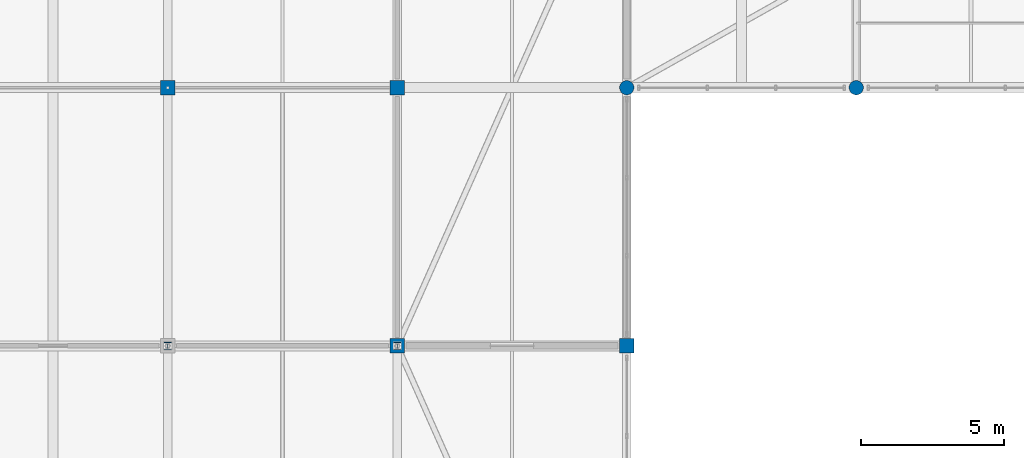
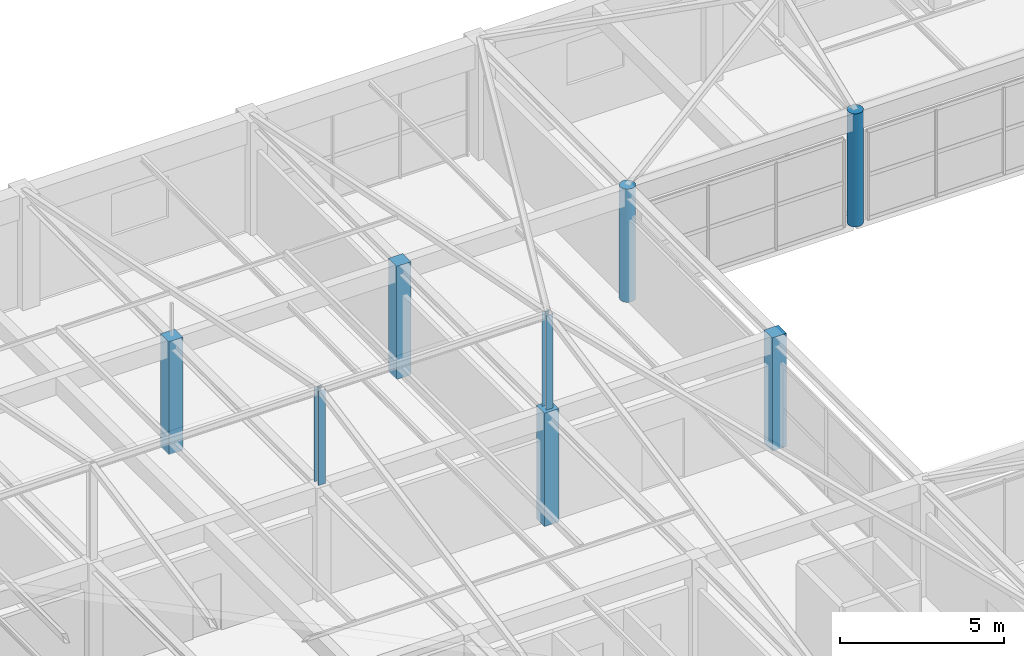
# One storey, part 6 of 65: 8 columns.
"""IFC4 building model written with IfcOpenShell, lengths in metres."""

from ifc_helpers import new_model, si_unit, direction, frame, origin, origin_2d, place, context, subcontext, project, spatial, rectangle, circle, i_section, extrude, material, material_profile, profile_set, type_object, element, save


model = new_model("IFC4")

# Units and contexts
model_context = context("Model", 3, precision=1e-05, world=origin(), true_north=direction((0.0, 1.0)))
body_context = subcontext(model_context, "Body", "Model", "MODEL_VIEW")
ifc_project = project(units=[si_unit("LENGTHUNIT", "METRE"), si_unit("AREAUNIT", "SQUARE_METRE"), si_unit("VOLUMEUNIT", "CUBIC_METRE"), si_unit("PLANEANGLEUNIT", "RADIAN"), si_unit("MASSUNIT", "GRAM", prefix="KILO")], contexts=[model_context])

# Site, building, storey
site_placement = place(None, origin())
site = spatial("IfcSite", under=ifc_project, at=site_placement, CompositionType="ELEMENT")
building_placement = place(site_placement, origin())
building = spatial("IfcBuilding", under=site, at=building_placement, Name="Varnabhumi Central Station", CompositionType="ELEMENT")
storey_placement = place(building_placement, frame((0.0, 0.0, 24.60009765625)))
storey = spatial("IfcBuildingStorey", under=building, at=storey_placement, Name="L05", CompositionType="ELEMENT", Elevation=24.60009765625)

# Columns
ifc_material_1 = material(Name="Concrete M40", Category="concrete")
ifc_material_profile_1 = material_profile(ifc_material_1, circle(Radius=0.25, at=origin_2d()), Name="Concrete M40", Category="concrete")
ifc_profile_set_1 = profile_set([ifc_material_profile_1], Name="Concrete M40")
column_type_1 = type_object("IfcColumnType", Name="COL-RC-D500", PredefinedType="COLUMN", material=ifc_profile_set_1)
for number, where, z_axis, x_axis, name in (
    (1, (112.0, 27.0, 0.0), (0.0, 0.0, 1.0), (1.0, 0.0, 0.0), "Column L05-15D"),
    (2, (120.0, 27.0, 0.0), (0.0, 0.0, 1.0), (1.0, 0.0, 0.0), "Column L05-16D"),
):
    element("IfcColumn", number, at=place(storey_placement, frame(where, z_axis=z_axis, x_axis=x_axis)), inside=storey, type_object=column_type_1, Name=name, PredefinedType="COLUMN", context=body_context, shape_type="SweptSolid", body=[
        extrude(circle(Radius=0.25, at=origin_2d()), origin(), (0.0, 0.0, 1.0), 4.199951171875),
    ])
ifc_material_2 = material(Name="Structural steel E350", Category="steel")
ifc_material_profile_2 = material_profile(ifc_material_2, i_section(OverallWidth=0.25, OverallDepth=0.25, WebThickness=0.0087890625, FlangeThickness=0.009765625, FilletRadius=0.010009765625, at=origin_2d()), Name="Structural steel E350", Category="steel")
ifc_profile_set_2 = profile_set([ifc_material_profile_2], Name="Structural steel E350")
column_type_2 = type_object("IfcColumnType", Name="COL-STL-ISHB250", PredefinedType="COLUMN", material=ifc_profile_set_2)
for number, where, z_axis, x_axis, name in (
    (3, (96.0, 18.0, 4.199951171875), (0.0, 0.0, 1.0), (1.0, 0.0, 0.0), "Roof Ridge King-Post SW6E-9"),
    (4, (104.0, 18.0, 4.199951171875), (0.0, 0.0, 1.0), (1.0, 0.0, 0.0), "Roof Ridge King-Post SW6E-10"),
):
    element("IfcColumn", number, at=place(storey_placement, frame(where, z_axis=z_axis, x_axis=x_axis)), inside=storey, type_object=column_type_2, Name=name, PredefinedType="COLUMN", context=body_context, shape_type="SweptSolid", body=[
        extrude(i_section(OverallWidth=0.25, OverallDepth=0.25, WebThickness=0.0087890625, FlangeThickness=0.009765625, FilletRadius=0.010009765625, at=origin_2d()), origin(), (0.0, 0.0, 1.0), 3.5),
    ])
ifc_material_profile_3 = material_profile(ifc_material_1, rectangle(XDim=0.5, YDim=0.5, at=origin_2d()), Name="Concrete M40", Category="concrete")
ifc_profile_set_3 = profile_set([ifc_material_profile_3], Name="Concrete M40")
column_type_3 = type_object("IfcColumnType", Name="COL-UPPER-500", PredefinedType="COLUMN", material=ifc_profile_set_3)
for number, where, z_axis, x_axis, name in (
    (5, (96.0, 27.0, 0.0), (0.0, 0.0, 1.0), (1.0, 0.0, 0.0), "Column L05-13D"),
    (6, (104.0, 18.0, 0.0), (0.0, 0.0, 1.0), (1.0, 0.0, 0.0), "Column L05-14C"),
    (7, (104.0, 27.0, 0.0), (0.0, 0.0, 1.0), (1.0, 0.0, 0.0), "Column L05-14D"),
    (8, (112.0, 18.0, 0.0), (0.0, 0.0, 1.0), (1.0, 0.0, 0.0), "Column L05-15C"),
):
    element("IfcColumn", number, at=place(storey_placement, frame(where, z_axis=z_axis, x_axis=x_axis)), inside=storey, type_object=column_type_3, Name=name, PredefinedType="COLUMN", context=body_context, shape_type="SweptSolid", body=[
        extrude(rectangle(XDim=0.5, YDim=0.5, at=origin_2d()), origin(), (0.0, 0.0, 1.0), 4.199951171875),
    ])

save(model, "model.ifc")
